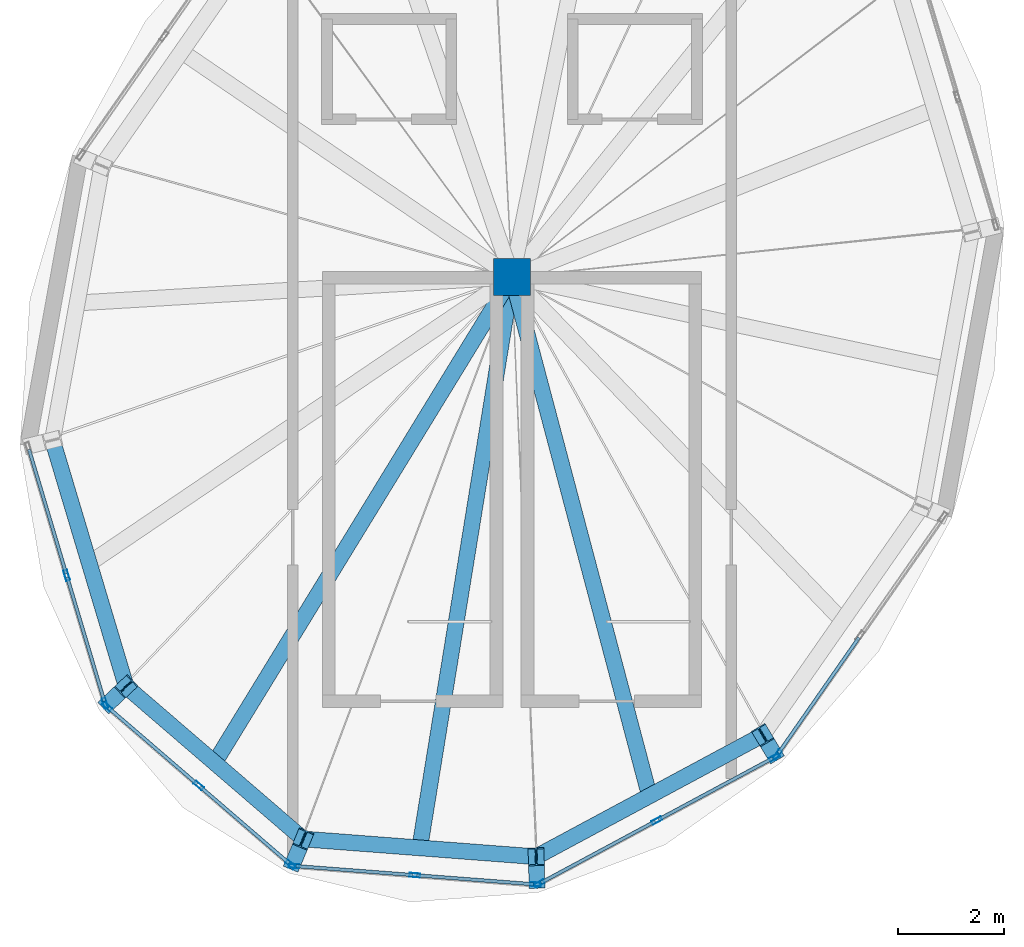
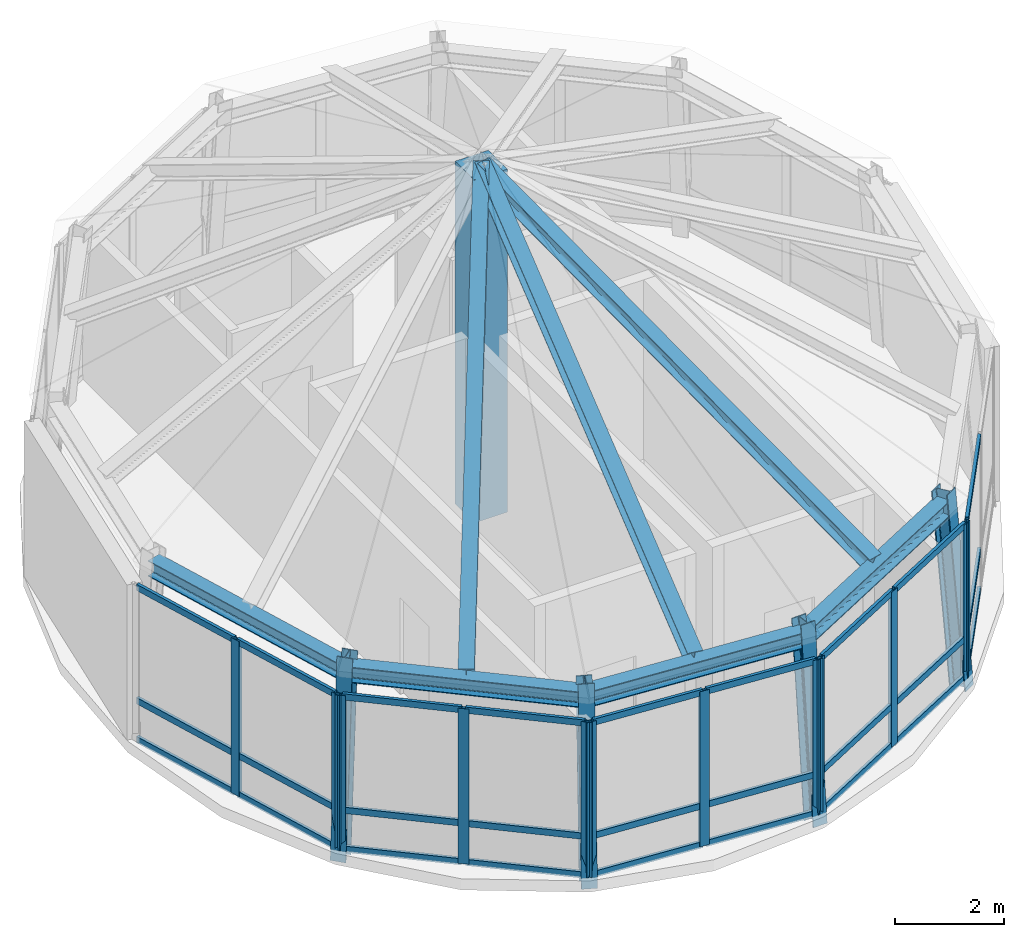
# One storey, part 1 of 8: 43 members, 7 beams, 1 column, 5 elements without a shape of their own.
"""IFC4 building model written with IfcOpenShell, lengths in metres."""

from ifc_helpers import new_model, si_unit, direction, frame, origin, origin_2d, place, context, subcontext, project, spatial, rectangle, hollow_rectangle, i_section, extrude, material, layer, layer_set, material_profile, profile_set, type_object, element, aggregate, save


model = new_model("IFC4")

# Units and contexts
model_context = context("Model", 3, precision=1e-05, world=origin(), true_north=direction((0.0, 1.0)))
body_context = subcontext(model_context, "Body", "Model", "MODEL_VIEW")
ifc_project = project(units=[si_unit("LENGTHUNIT", "METRE"), si_unit("AREAUNIT", "SQUARE_METRE"), si_unit("VOLUMEUNIT", "CUBIC_METRE"), si_unit("PLANEANGLEUNIT", "RADIAN"), si_unit("MASSUNIT", "GRAM", prefix="KILO"), si_unit("THERMODYNAMICTEMPERATUREUNIT", "KELVIN"), si_unit("POWERUNIT", "WATT")], contexts=[model_context])

# Site, building, storey
site_placement = place(None, origin())
site = spatial("IfcSite", under=ifc_project, at=site_placement, CompositionType="ELEMENT")
building_placement = place(site_placement, origin())
building = spatial("IfcBuilding", under=site, at=building_placement, Name="Ocrelia Relay Tower", CompositionType="ELEMENT")
storey_placement = place(building_placement, frame((0.0, 0.0, 308.0)))
storey = spatial("IfcBuildingStorey", under=building, at=storey_placement, Name="L77", CompositionType="ELEMENT", Elevation=308.0)

# Column
ifc_material_1 = material(Name="Concrete C50/60", Category="concrete")
ifc_material_profile_1 = material_profile(ifc_material_1, rectangle(XDim=0.699951171875, YDim=0.699951171875, at=origin_2d()), Name="RC-COL-700x700")
ifc_profile_set_1 = profile_set([ifc_material_profile_1], Name="Concrete C50/60")
column_type = type_object("IfcColumnType", Name="COL-CC-700", PredefinedType="COLUMN", material=ifc_profile_set_1)
column_placement = place(storey_placement, frame((34.0, 27.1201171875, 0.0), z_axis=(0.0, 0.0, 1.0), x_axis=(1.0, 0.0, 0.0)))
element("IfcColumn", 1, at=column_placement, inside=storey, type_object=column_type, Name="L77 Crown Central Spine Column", PredefinedType="COLUMN", context=body_context, shape_type="SweptSolid", body=[
    extrude(rectangle(XDim=0.699951171875, YDim=0.699951171875, at=origin_2d()), origin(), (0.0, 0.0, 1.0), 7.64990234375),
])

# Beams
ifc_material_2 = material(Name="Steel S355", Category="steel")
ifc_material_profile_2 = material_profile(ifc_material_2, i_section(OverallWidth=0.300048828125, OverallDepth=0.330078125, WebThickness=0.009521484375, FlangeThickness=0.0166015625, FilletRadius=0.027099609375, at=origin_2d()), Name="HEA 340")
ifc_profile_set_2 = profile_set([ifc_material_profile_2], Name="Steel S355")
beam_type_1 = type_object("IfcBeamType", Name="BM-HEA340", PredefinedType="BEAM", material=ifc_profile_set_2)
beam_1_placement = place(storey_placement, frame((28.375244140625, 17.93017578125, 3.837646484375), z_axis=(0.492297497606, 0.804334493896, 0.332699858402), x_axis=(-0.852923164464, 0.522036469531, 0.0)))
element("IfcBeam", 2, at=beam_1_placement, inside=storey, type_object=beam_type_1, Name="L77 Glass-Point Crown Apex Rafter RF06", PredefinedType="BEAM", context=body_context, shape_type="SweptSolid", body=[
    extrude(i_section(OverallWidth=0.300048828125, OverallDepth=0.330078125, WebThickness=0.009521484375, FlangeThickness=0.0166015625, FilletRadius=0.027099609375, at=origin_2d()), origin(), (0.0, 0.0, 1.0), 11.425537109375),
])
beam_2_placement = place(storey_placement, frame((32.254150390625, 16.3193359375, 3.833984375), z_axis=(0.150711735613, 0.932385286466, 0.328547790025), x_axis=(-0.987186635047, 0.159569883075, 0.0)))
element("IfcBeam", 3, at=beam_2_placement, inside=storey, type_object=beam_type_1, Name="L77 Glass-Point Crown Apex Rafter RF07", PredefinedType="BEAM", context=body_context, shape_type="SweptSolid", body=[
    extrude(i_section(OverallWidth=0.300048828125, OverallDepth=0.330078125, WebThickness=0.009521484375, FlangeThickness=0.0166015625, FilletRadius=0.027099609375, at=origin_2d()), origin(), (0.0, 0.0, 1.0), 11.583984375),
])
beam_3_placement = place(storey_placement, frame((36.600830078125, 17.302490234375, 3.831787109375), z_axis=(-0.239810177751, 0.90523671059, 0.350767125666), x_axis=(-0.966655364377, -0.256080859342, 0.0)))
element("IfcBeam", 4, at=beam_3_placement, inside=storey, type_object=beam_type_1, Name="L77 Glass-Point Crown Apex Rafter RF08", PredefinedType="BEAM", context=body_context, shape_type="SweptSolid", body=[
    extrude(i_section(OverallWidth=0.300048828125, OverallDepth=0.330078125, WebThickness=0.009521484375, FlangeThickness=0.0166015625, FilletRadius=0.027099609375, at=origin_2d()), origin(), (0.0, 0.0, 1.0), 10.845458984375),
])
ifc_material_profile_3 = material_profile(ifc_material_2, i_section(OverallWidth=0.300048828125, OverallDepth=0.35009765625, WebThickness=0.010009765625, FlangeThickness=0.017578125, FilletRadius=0.027099609375, at=origin_2d()), Name="HEA 360")
ifc_profile_set_3 = profile_set([ifc_material_profile_3], Name="Steel S355")
beam_type_2 = type_object("IfcBeamType", Name="BM-HEA360", PredefinedType="SPANDREL", material=ifc_profile_set_3)
beam_4_placement = place(storey_placement, frame((25.306640625, 24.033447265625, 3.64501953125), z_axis=(0.286505221663, -0.958078680464, 0.0), x_axis=(0.958078680464, 0.286505221663, 0.0)))
element("IfcBeam", 5, at=beam_4_placement, inside=storey, type_object=beam_type_2, Name="L77 Crown Faceted Ring Beam R05", PredefinedType="SPANDREL", context=body_context, shape_type="SweptSolid", body=[
    extrude(i_section(OverallWidth=0.300048828125, OverallDepth=0.35009765625, WebThickness=0.010009765625, FlangeThickness=0.017578125, FilletRadius=0.027099609375, at=origin_2d()), origin(), (0.0, 0.0, 1.0), 4.86474609375),
])
for number, where, z_axis, x_axis, name in (
    (6, (26.700439453125, 19.37255859375, 3.64501953125), (0.757699013263, -0.652604171992, 0.0), (0.652604171992, 0.757699013263, 0.0), "L77 Crown Faceted Ring Beam R06"),
    (7, (30.050048828125, 16.487548828125, 3.64501953125), (0.997104301591, -0.07604611594, 0.0), (0.07604611594, 0.997104301591, 0.0), "L77 Crown Faceted Ring Beam R07"),
):
    element("IfcBeam", number, at=place(storey_placement, frame(where, z_axis=z_axis, x_axis=x_axis)), inside=storey, type_object=beam_type_2, Name=name, PredefinedType="SPANDREL", context=body_context, shape_type="SweptSolid", body=[
        extrude(i_section(OverallWidth=0.300048828125, OverallDepth=0.35009765625, WebThickness=0.010009765625, FlangeThickness=0.017578125, FilletRadius=0.027099609375, at=origin_2d()), origin(), (0.0, 0.0, 1.0), 4.420654296875),
    ])
beam_5_placement = place(storey_placement, frame((34.4580078125, 16.1513671875, 3.64501953125), z_axis=(0.880881680391, 0.47333652421, 0.0), x_axis=(-0.47333652421, 0.880881680391, 0.0)))
element("IfcBeam", 8, at=beam_5_placement, inside=storey, type_object=beam_type_2, Name="L77 Crown Faceted Ring Beam R08", PredefinedType="SPANDREL", context=body_context, shape_type="SweptSolid", body=[
    extrude(i_section(OverallWidth=0.300048828125, OverallDepth=0.35009765625, WebThickness=0.010009765625, FlangeThickness=0.017578125, FilletRadius=0.027099609375, at=origin_2d()), origin(), (0.0, 0.0, 1.0), 4.864990234375),
])

# Curtain wall, members
ifc_material_3 = material(Name="Aluminium and solar-control low-E glass", Category="aluminium")
ifc_layer = layer(ifc_material_3, 0.179931640625, Name="Aluminium and solar-control low-E glass")
ifc_layer_set = layer_set([ifc_layer], Name="Aluminium and solar-control low-E glass")
curtain_wall_type = type_object("IfcCurtainWallType", Name="CW-SYS-CROWN-PT", PredefinedType="NOTDEFINED", material=ifc_layer_set)
curtain_wall_1_placement = place(storey_placement, origin())
curtain_wall_1 = element("IfcCurtainWall", 9, at=curtain_wall_1_placement, inside=storey, type_object=curtain_wall_type, Name="L77 Faceted Glass-Point Crown Curtain Wall 05", PredefinedType="NOTDEFINED")
ifc_material_4 = material(Name="Anodised bronze aluminium", Category="aluminium")
ifc_material_profile_4 = material_profile(ifc_material_4, hollow_rectangle(XDim=0.074951171875, YDim=0.199951171875, WallThickness=0.006103515625, at=origin_2d()), Name="CW-MUL-200x75")
ifc_profile_set_4 = profile_set([ifc_material_profile_4], Name="Anodised bronze aluminium")
member_type_1 = type_object("IfcMemberType", Name="CW-SYS-CROWN-PT-MUL", PredefinedType="MULLION", material=ifc_profile_set_4)
member_1_placement = place(storey_placement, frame((25.575439453125, 21.47412109375, 0.0), z_axis=(0.0, 0.0, 1.0), x_axis=(0.958056902015, 0.286578039111, 0.0)))
member_1 = element("IfcMember", 10, at=member_1_placement, type_object=member_type_1, Name="CW-CR mullion 2", PredefinedType="MULLION", context=body_context, shape_type="SweptSolid", body=[
    extrude(hollow_rectangle(XDim=0.074951171875, YDim=0.199951171875, WallThickness=0.006103515625, at=origin_2d()), origin(), (0.0, 0.0, 1.0), 3.4599609375),
])
member_2_placement = place(storey_placement, frame((26.299072265625, 19.054931640625, 0.0), z_axis=(0.0, 0.0, 1.0), x_axis=(0.958056902015, 0.286578039111, 0.0)))
member_2 = element("IfcMember", 11, at=member_2_placement, type_object=member_type_1, Name="CW-CR mullion 3", PredefinedType="MULLION", context=body_context, shape_type="SweptSolid", body=[
    extrude(hollow_rectangle(XDim=0.074951171875, YDim=0.199951171875, WallThickness=0.006103515625, at=origin_2d()), origin(), (0.0, 0.0, 1.0), 3.4599609375),
])

curtain_wall_2_placement = place(storey_placement, origin())
curtain_wall_2 = element("IfcCurtainWall", 12, at=curtain_wall_2_placement, inside=storey, type_object=curtain_wall_type, Name="L77 Faceted Glass-Point Crown Curtain Wall 06", PredefinedType="NOTDEFINED")
member_3_placement = place(storey_placement, frame((26.33837890625, 18.99462890625, 0.0), z_axis=(0.0, 0.0, 1.0), x_axis=(0.652580665849, 0.757719258407, 0.0)))
member_3 = element("IfcMember", 13, at=member_3_placement, type_object=member_type_1, Name="CW-CR mullion 1", PredefinedType="MULLION", context=body_context, shape_type="SweptSolid", body=[
    extrude(hollow_rectangle(XDim=0.074951171875, YDim=0.199951171875, WallThickness=0.006103515625, at=origin_2d()), origin(), (0.0, 0.0, 1.0), 3.4599609375),
])
member_4_placement = place(storey_placement, frame((28.074462890625, 17.499267578125, 0.0), z_axis=(0.0, 0.0, 1.0), x_axis=(0.652580665849, 0.757719258407, 0.0)))
member_4 = element("IfcMember", 14, at=member_4_placement, type_object=member_type_1, Name="CW-CR mullion 2", PredefinedType="MULLION", context=body_context, shape_type="SweptSolid", body=[
    extrude(hollow_rectangle(XDim=0.074951171875, YDim=0.199951171875, WallThickness=0.006103515625, at=origin_2d()), origin(), (0.0, 0.0, 1.0), 3.4599609375),
])
member_5_placement = place(storey_placement, frame((29.810791015625, 16.00390625, 0.0), z_axis=(0.0, 0.0, 1.0), x_axis=(0.652580665849, 0.757719258407, 0.0)))
member_5 = element("IfcMember", 15, at=member_5_placement, type_object=member_type_1, Name="CW-CR mullion 3", PredefinedType="MULLION", context=body_context, shape_type="SweptSolid", body=[
    extrude(hollow_rectangle(XDim=0.074951171875, YDim=0.199951171875, WallThickness=0.006103515625, at=origin_2d()), origin(), (0.0, 0.0, 1.0), 3.4599609375),
])

curtain_wall_3_placement = place(storey_placement, origin())
curtain_wall_3 = element("IfcCurtainWall", 16, at=curtain_wall_3_placement, inside=storey, type_object=curtain_wall_type, Name="L77 Faceted Glass-Point Crown Curtain Wall 07", PredefinedType="NOTDEFINED")
member_6_placement = place(storey_placement, frame((29.87646484375, 15.9765625, 0.0), z_axis=(0.0, 0.0, 1.0), x_axis=(0.076089015245, 0.997101028863, 0.0)))
member_6 = element("IfcMember", 17, at=member_6_placement, type_object=member_type_1, Name="CW-CR mullion 1", PredefinedType="MULLION", context=body_context, shape_type="SweptSolid", body=[
    extrude(hollow_rectangle(XDim=0.074951171875, YDim=0.199951171875, WallThickness=0.006103515625, at=origin_2d()), origin(), (0.0, 0.0, 1.0), 3.4599609375),
])
member_7_placement = place(storey_placement, frame((32.1611328125, 15.80224609375, 0.0), z_axis=(0.0, 0.0, 1.0), x_axis=(0.076089015245, 0.997101028863, 0.0)))
member_7 = element("IfcMember", 18, at=member_7_placement, type_object=member_type_1, Name="CW-CR mullion 2", PredefinedType="MULLION", context=body_context, shape_type="SweptSolid", body=[
    extrude(hollow_rectangle(XDim=0.074951171875, YDim=0.199951171875, WallThickness=0.006103515625, at=origin_2d()), origin(), (0.0, 0.0, 1.0), 3.4599609375),
])
member_8_placement = place(storey_placement, frame((34.44580078125, 15.6279296875, 0.0), z_axis=(0.0, 0.0, 1.0), x_axis=(0.076089015245, 0.997101028863, 0.0)))
member_8 = element("IfcMember", 19, at=member_8_placement, type_object=member_type_1, Name="CW-CR mullion 3", PredefinedType="MULLION", context=body_context, shape_type="SweptSolid", body=[
    extrude(hollow_rectangle(XDim=0.074951171875, YDim=0.199951171875, WallThickness=0.006103515625, at=origin_2d()), origin(), (0.0, 0.0, 1.0), 3.4599609375),
])

curtain_wall_4_placement = place(storey_placement, origin())
curtain_wall_4 = element("IfcCurtainWall", 20, at=curtain_wall_4_placement, inside=storey, type_object=curtain_wall_type, Name="L77 Faceted Glass-Point Crown Curtain Wall 08", PredefinedType="NOTDEFINED")
member_9_placement = place(storey_placement, frame((34.516357421875, 15.642822265625, 0.0), z_axis=(0.0, 0.0, 1.0), x_axis=(-0.473276956147, 0.880913686339, 0.0)))
member_9 = element("IfcMember", 21, at=member_9_placement, type_object=member_type_1, Name="CW-CR mullion 1", PredefinedType="MULLION", context=body_context, shape_type="SweptSolid", body=[
    extrude(hollow_rectangle(XDim=0.074951171875, YDim=0.199951171875, WallThickness=0.006103515625, at=origin_2d()), origin(), (0.0, 0.0, 1.0), 3.4599609375),
])
member_10_placement = place(storey_placement, frame((36.740478515625, 16.837890625, 0.0), z_axis=(0.0, 0.0, 1.0), x_axis=(-0.473276956147, 0.880913686339, 0.0)))
member_10 = element("IfcMember", 22, at=member_10_placement, type_object=member_type_1, Name="CW-CR mullion 2", PredefinedType="MULLION", context=body_context, shape_type="SweptSolid", body=[
    extrude(hollow_rectangle(XDim=0.074951171875, YDim=0.199951171875, WallThickness=0.006103515625, at=origin_2d()), origin(), (0.0, 0.0, 1.0), 3.4599609375),
])
member_11_placement = place(storey_placement, frame((38.96484375, 18.032958984375, 0.0), z_axis=(0.0, 0.0, 1.0), x_axis=(-0.473276956147, 0.880913686339, 0.0)))
member_11 = element("IfcMember", 23, at=member_11_placement, type_object=member_type_1, Name="CW-CR mullion 3", PredefinedType="MULLION", context=body_context, shape_type="SweptSolid", body=[
    extrude(hollow_rectangle(XDim=0.074951171875, YDim=0.199951171875, WallThickness=0.006103515625, at=origin_2d()), origin(), (0.0, 0.0, 1.0), 3.4599609375),
])

# Curtain wall, member
curtain_wall_5_placement = place(storey_placement, origin())
curtain_wall_5 = element("IfcCurtainWall", 24, at=curtain_wall_5_placement, inside=storey, type_object=curtain_wall_type, Name="L77 Faceted Glass-Point Crown Curtain Wall 09", PredefinedType="NOTDEFINED")
member_12_placement = place(storey_placement, frame((39.019287109375, 18.081298828125, 0.0), z_axis=(0.0, 0.0, 1.0), x_axis=(-0.820359766899, 0.571847753211, 0.0)))
member_12 = element("IfcMember", 25, at=member_12_placement, type_object=member_type_1, Name="CW-CR mullion 1", PredefinedType="MULLION", context=body_context, shape_type="SweptSolid", body=[
    extrude(hollow_rectangle(XDim=0.074951171875, YDim=0.199951171875, WallThickness=0.006103515625, at=origin_2d()), origin(), (0.0, 0.0, 1.0), 3.4599609375),
])

# Member
ifc_material_profile_5 = material_profile(ifc_material_4, hollow_rectangle(XDim=0.06494140625, YDim=0.139892578125, WallThickness=0.0048828125, at=origin_2d()), Name="CW-TRN-140x65")
ifc_profile_set_5 = profile_set([ifc_material_profile_5], Name="Anodised bronze aluminium")
member_type_2 = type_object("IfcMemberType", Name="CW-SYS-CROWN-PT-TRN", PredefinedType="USERDEFINED", material=ifc_profile_set_5)
member_13_placement = place(storey_placement, frame((24.86279296875, 23.857177734375, 0.032470703125), z_axis=(0.286506654318, -0.95807825204, 0.0), x_axis=(0.95807825204, 0.286506654318, 0.0)))
member_13 = element("IfcMember", 26, at=member_13_placement, type_object=member_type_2, Name="CW-CR transom 1.1", ObjectType="TRANSOM", PredefinedType="USERDEFINED", context=body_context, shape_type="SweptSolid", body=[
    extrude(hollow_rectangle(XDim=0.06494140625, YDim=0.139892578125, WallThickness=0.0048828125, at=origin_2d()), origin(), (0.0, 0.0, 1.0), 2.449951171875),
])

member_14_placement = place(storey_placement, frame((24.86279296875, 23.857177734375, 0.89990234375), z_axis=(0.286506654318, -0.95807825204, 0.0), x_axis=(0.95807825204, 0.286506654318, 0.0)))
member_14 = element("IfcMember", 27, at=member_14_placement, type_object=member_type_2, Name="CW-CR transom 1.2", ObjectType="TRANSOM", PredefinedType="USERDEFINED", context=body_context, shape_type="SweptSolid", body=[
    extrude(hollow_rectangle(XDim=0.06494140625, YDim=0.139892578125, WallThickness=0.0048828125, at=origin_2d()), origin(), (0.0, 0.0, 1.0), 2.449951171875),
])

member_15_placement = place(storey_placement, frame((24.86279296875, 23.857177734375, 3.427490234375), z_axis=(0.286506654318, -0.95807825204, 0.0), x_axis=(0.95807825204, 0.286506654318, 0.0)))
member_15 = element("IfcMember", 28, at=member_15_placement, type_object=member_type_2, Name="CW-CR transom 1.3", ObjectType="TRANSOM", PredefinedType="USERDEFINED", context=body_context, shape_type="SweptSolid", body=[
    extrude(hollow_rectangle(XDim=0.06494140625, YDim=0.139892578125, WallThickness=0.0048828125, at=origin_2d()), origin(), (0.0, 0.0, 1.0), 2.449951171875),
])

member_16_placement = place(storey_placement, frame((25.586181640625, 21.43798828125, 0.032470703125), z_axis=(0.286598124644, -0.958050893716, 0.0), x_axis=(0.958050893716, 0.286598124644, 0.0)))
member_16 = element("IfcMember", 29, at=member_16_placement, type_object=member_type_2, Name="CW-CR transom 2.1", ObjectType="TRANSOM", PredefinedType="USERDEFINED", context=body_context, shape_type="SweptSolid", body=[
    extrude(hollow_rectangle(XDim=0.06494140625, YDim=0.139892578125, WallThickness=0.0048828125, at=origin_2d()), origin(), (0.0, 0.0, 1.0), 2.449951171875),
])

member_17_placement = place(storey_placement, frame((25.586181640625, 21.43798828125, 0.89990234375), z_axis=(0.286598124644, -0.958050893716, 0.0), x_axis=(0.958050893716, 0.286598124644, 0.0)))
member_17 = element("IfcMember", 30, at=member_17_placement, type_object=member_type_2, Name="CW-CR transom 2.2", ObjectType="TRANSOM", PredefinedType="USERDEFINED", context=body_context, shape_type="SweptSolid", body=[
    extrude(hollow_rectangle(XDim=0.06494140625, YDim=0.139892578125, WallThickness=0.0048828125, at=origin_2d()), origin(), (0.0, 0.0, 1.0), 2.449951171875),
])

member_18_placement = place(storey_placement, frame((25.586181640625, 21.43798828125, 3.427490234375), z_axis=(0.286598124644, -0.958050893716, 0.0), x_axis=(0.958050893716, 0.286598124644, 0.0)))
member_18 = element("IfcMember", 31, at=member_18_placement, type_object=member_type_2, Name="CW-CR transom 2.3", ObjectType="TRANSOM", PredefinedType="USERDEFINED", context=body_context, shape_type="SweptSolid", body=[
    extrude(hollow_rectangle(XDim=0.06494140625, YDim=0.139892578125, WallThickness=0.0048828125, at=origin_2d()), origin(), (0.0, 0.0, 1.0), 2.449951171875),
])

aggregate(curtain_wall_1, [member_1, member_2, member_13, member_14, member_15, member_16, member_17, member_18])

member_19_placement = place(storey_placement, frame((26.36669921875, 18.969970703125, 0.032470703125), z_axis=(0.757746107438, -0.652549489819, 0.0), x_axis=(0.652549489819, 0.757746107438, 0.0)))
member_19 = element("IfcMember", 32, at=member_19_placement, type_object=member_type_2, Name="CW-CR transom 1.1", ObjectType="TRANSOM", PredefinedType="USERDEFINED", context=body_context, shape_type="SweptSolid", body=[
    extrude(hollow_rectangle(XDim=0.06494140625, YDim=0.139892578125, WallThickness=0.0048828125, at=origin_2d()), origin(), (0.0, 0.0, 1.0), 2.21630859375),
])

member_20_placement = place(storey_placement, frame((26.36669921875, 18.969970703125, 0.89990234375), z_axis=(0.757746107438, -0.652549489819, 0.0), x_axis=(0.652549489819, 0.757746107438, 0.0)))
member_20 = element("IfcMember", 33, at=member_20_placement, type_object=member_type_2, Name="CW-CR transom 1.2", ObjectType="TRANSOM", PredefinedType="USERDEFINED", context=body_context, shape_type="SweptSolid", body=[
    extrude(hollow_rectangle(XDim=0.06494140625, YDim=0.139892578125, WallThickness=0.0048828125, at=origin_2d()), origin(), (0.0, 0.0, 1.0), 2.21630859375),
])

member_21_placement = place(storey_placement, frame((26.36669921875, 18.969970703125, 3.427490234375), z_axis=(0.757746107438, -0.652549489819, 0.0), x_axis=(0.652549489819, 0.757746107438, 0.0)))
member_21 = element("IfcMember", 34, at=member_21_placement, type_object=member_type_2, Name="CW-CR transom 1.3", ObjectType="TRANSOM", PredefinedType="USERDEFINED", context=body_context, shape_type="SweptSolid", body=[
    extrude(hollow_rectangle(XDim=0.06494140625, YDim=0.139892578125, WallThickness=0.0048828125, at=origin_2d()), origin(), (0.0, 0.0, 1.0), 2.21630859375),
])

member_22_placement = place(storey_placement, frame((28.10302734375, 17.474853515625, 0.032470703125), z_axis=(0.757699195898, -0.652603959945, 0.0), x_axis=(0.652603959945, 0.757699195898, 0.0)))
member_22 = element("IfcMember", 35, at=member_22_placement, type_object=member_type_2, Name="CW-CR transom 2.1", ObjectType="TRANSOM", PredefinedType="USERDEFINED", context=body_context, shape_type="SweptSolid", body=[
    extrude(hollow_rectangle(XDim=0.06494140625, YDim=0.139892578125, WallThickness=0.0048828125, at=origin_2d()), origin(), (0.0, 0.0, 1.0), 2.216064453125),
])

member_23_placement = place(storey_placement, frame((28.10302734375, 17.474853515625, 0.89990234375), z_axis=(0.757699195898, -0.652603959945, 0.0), x_axis=(0.652603959945, 0.757699195898, 0.0)))
member_23 = element("IfcMember", 36, at=member_23_placement, type_object=member_type_2, Name="CW-CR transom 2.2", ObjectType="TRANSOM", PredefinedType="USERDEFINED", context=body_context, shape_type="SweptSolid", body=[
    extrude(hollow_rectangle(XDim=0.06494140625, YDim=0.139892578125, WallThickness=0.0048828125, at=origin_2d()), origin(), (0.0, 0.0, 1.0), 2.216064453125),
])

member_24_placement = place(storey_placement, frame((28.10302734375, 17.474853515625, 3.427490234375), z_axis=(0.757699195898, -0.652603959945, 0.0), x_axis=(0.652603959945, 0.757699195898, 0.0)))
member_24 = element("IfcMember", 37, at=member_24_placement, type_object=member_type_2, Name="CW-CR transom 2.3", ObjectType="TRANSOM", PredefinedType="USERDEFINED", context=body_context, shape_type="SweptSolid", body=[
    extrude(hollow_rectangle(XDim=0.06494140625, YDim=0.139892578125, WallThickness=0.0048828125, at=origin_2d()), origin(), (0.0, 0.0, 1.0), 2.216064453125),
])

aggregate(curtain_wall_2, [member_3, member_4, member_5, member_19, member_20, member_21, member_22, member_23, member_24])

member_25_placement = place(storey_placement, frame((29.913818359375, 15.973876953125, 0.032470703125), z_axis=(0.99709902499, -0.076115270246, 0.0), x_axis=(0.076115270246, 0.99709902499, 0.0)))
member_25 = element("IfcMember", 38, at=member_25_placement, type_object=member_type_2, Name="CW-CR transom 1.1", ObjectType="TRANSOM", PredefinedType="USERDEFINED", context=body_context, shape_type="SweptSolid", body=[
    extrude(hollow_rectangle(XDim=0.06494140625, YDim=0.139892578125, WallThickness=0.0048828125, at=origin_2d()), origin(), (0.0, 0.0, 1.0), 2.21630859375),
])

member_26_placement = place(storey_placement, frame((29.913818359375, 15.973876953125, 0.89990234375), z_axis=(0.99709902499, -0.076115270246, 0.0), x_axis=(0.076115270246, 0.99709902499, 0.0)))
member_26 = element("IfcMember", 39, at=member_26_placement, type_object=member_type_2, Name="CW-CR transom 1.2", ObjectType="TRANSOM", PredefinedType="USERDEFINED", context=body_context, shape_type="SweptSolid", body=[
    extrude(hollow_rectangle(XDim=0.06494140625, YDim=0.139892578125, WallThickness=0.0048828125, at=origin_2d()), origin(), (0.0, 0.0, 1.0), 2.21630859375),
])

member_27_placement = place(storey_placement, frame((29.913818359375, 15.973876953125, 3.427490234375), z_axis=(0.99709902499, -0.076115270246, 0.0), x_axis=(0.076115270246, 0.99709902499, 0.0)))
member_27 = element("IfcMember", 40, at=member_27_placement, type_object=member_type_2, Name="CW-CR transom 1.3", ObjectType="TRANSOM", PredefinedType="USERDEFINED", context=body_context, shape_type="SweptSolid", body=[
    extrude(hollow_rectangle(XDim=0.06494140625, YDim=0.139892578125, WallThickness=0.0048828125, at=origin_2d()), origin(), (0.0, 0.0, 1.0), 2.21630859375),
])

member_28_placement = place(storey_placement, frame((32.198486328125, 15.799560546875, 0.032470703125), z_axis=(0.99709902499, -0.076115270246, 0.0), x_axis=(0.076115270246, 0.99709902499, 0.0)))
member_28 = element("IfcMember", 41, at=member_28_placement, type_object=member_type_2, Name="CW-CR transom 2.1", ObjectType="TRANSOM", PredefinedType="USERDEFINED", context=body_context, shape_type="SweptSolid", body=[
    extrude(hollow_rectangle(XDim=0.06494140625, YDim=0.139892578125, WallThickness=0.0048828125, at=origin_2d()), origin(), (0.0, 0.0, 1.0), 2.21630859375),
])

member_29_placement = place(storey_placement, frame((32.198486328125, 15.799560546875, 0.89990234375), z_axis=(0.99709902499, -0.076115270246, 0.0), x_axis=(0.076115270246, 0.99709902499, 0.0)))
member_29 = element("IfcMember", 42, at=member_29_placement, type_object=member_type_2, Name="CW-CR transom 2.2", ObjectType="TRANSOM", PredefinedType="USERDEFINED", context=body_context, shape_type="SweptSolid", body=[
    extrude(hollow_rectangle(XDim=0.06494140625, YDim=0.139892578125, WallThickness=0.0048828125, at=origin_2d()), origin(), (0.0, 0.0, 1.0), 2.21630859375),
])

member_30_placement = place(storey_placement, frame((32.198486328125, 15.799560546875, 3.427490234375), z_axis=(0.99709902499, -0.076115270246, 0.0), x_axis=(0.076115270246, 0.99709902499, 0.0)))
member_30 = element("IfcMember", 43, at=member_30_placement, type_object=member_type_2, Name="CW-CR transom 2.3", ObjectType="TRANSOM", PredefinedType="USERDEFINED", context=body_context, shape_type="SweptSolid", body=[
    extrude(hollow_rectangle(XDim=0.06494140625, YDim=0.139892578125, WallThickness=0.0048828125, at=origin_2d()), origin(), (0.0, 0.0, 1.0), 2.21630859375),
])

aggregate(curtain_wall_3, [member_6, member_7, member_8, member_25, member_26, member_27, member_28, member_29, member_30])

member_31_placement = place(storey_placement, frame((34.54931640625, 15.66064453125, 0.032470703125), z_axis=(0.880928268603, 0.473249813076, 0.0), x_axis=(-0.473249813076, 0.880928268603, 0.0)))
member_31 = element("IfcMember", 44, at=member_31_placement, type_object=member_type_2, Name="CW-CR transom 1.1", ObjectType="TRANSOM", PredefinedType="USERDEFINED", context=body_context, shape_type="SweptSolid", body=[
    extrude(hollow_rectangle(XDim=0.06494140625, YDim=0.139892578125, WallThickness=0.0048828125, at=origin_2d()), origin(), (0.0, 0.0, 1.0), 2.449951171875),
])

member_32_placement = place(storey_placement, frame((34.54931640625, 15.66064453125, 0.89990234375), z_axis=(0.880928268603, 0.473249813076, 0.0), x_axis=(-0.473249813076, 0.880928268603, 0.0)))
member_32 = element("IfcMember", 45, at=member_32_placement, type_object=member_type_2, Name="CW-CR transom 1.2", ObjectType="TRANSOM", PredefinedType="USERDEFINED", context=body_context, shape_type="SweptSolid", body=[
    extrude(hollow_rectangle(XDim=0.06494140625, YDim=0.139892578125, WallThickness=0.0048828125, at=origin_2d()), origin(), (0.0, 0.0, 1.0), 2.449951171875),
])

member_33_placement = place(storey_placement, frame((34.54931640625, 15.66064453125, 3.427490234375), z_axis=(0.880928268603, 0.473249813076, 0.0), x_axis=(-0.473249813076, 0.880928268603, 0.0)))
member_33 = element("IfcMember", 46, at=member_33_placement, type_object=member_type_2, Name="CW-CR transom 1.3", ObjectType="TRANSOM", PredefinedType="USERDEFINED", context=body_context, shape_type="SweptSolid", body=[
    extrude(hollow_rectangle(XDim=0.06494140625, YDim=0.139892578125, WallThickness=0.0048828125, at=origin_2d()), origin(), (0.0, 0.0, 1.0), 2.449951171875),
])

member_34_placement = place(storey_placement, frame((36.773681640625, 16.855712890625, 0.032470703125), z_axis=(0.880928268603, 0.473249813076, 0.0), x_axis=(-0.473249813076, 0.880928268603, 0.0)))
member_34 = element("IfcMember", 47, at=member_34_placement, type_object=member_type_2, Name="CW-CR transom 2.1", ObjectType="TRANSOM", PredefinedType="USERDEFINED", context=body_context, shape_type="SweptSolid", body=[
    extrude(hollow_rectangle(XDim=0.06494140625, YDim=0.139892578125, WallThickness=0.0048828125, at=origin_2d()), origin(), (0.0, 0.0, 1.0), 2.449951171875),
])

member_35_placement = place(storey_placement, frame((36.773681640625, 16.855712890625, 0.89990234375), z_axis=(0.880928268603, 0.473249813076, 0.0), x_axis=(-0.473249813076, 0.880928268603, 0.0)))
member_35 = element("IfcMember", 48, at=member_35_placement, type_object=member_type_2, Name="CW-CR transom 2.2", ObjectType="TRANSOM", PredefinedType="USERDEFINED", context=body_context, shape_type="SweptSolid", body=[
    extrude(hollow_rectangle(XDim=0.06494140625, YDim=0.139892578125, WallThickness=0.0048828125, at=origin_2d()), origin(), (0.0, 0.0, 1.0), 2.449951171875),
])

member_36_placement = place(storey_placement, frame((36.773681640625, 16.855712890625, 3.427490234375), z_axis=(0.880928268603, 0.473249813076, 0.0), x_axis=(-0.473249813076, 0.880928268603, 0.0)))
member_36 = element("IfcMember", 49, at=member_36_placement, type_object=member_type_2, Name="CW-CR transom 2.3", ObjectType="TRANSOM", PredefinedType="USERDEFINED", context=body_context, shape_type="SweptSolid", body=[
    extrude(hollow_rectangle(XDim=0.06494140625, YDim=0.139892578125, WallThickness=0.0048828125, at=origin_2d()), origin(), (0.0, 0.0, 1.0), 2.449951171875),
])

aggregate(curtain_wall_4, [member_9, member_10, member_11, member_31, member_32, member_33, member_34, member_35, member_36])

member_37_placement = place(storey_placement, frame((39.040771484375, 18.112060546875, 0.032470703125), z_axis=(0.571837518298, 0.82036690125, 0.0), x_axis=(-0.82036690125, 0.571837518298, 0.0)))
member_37 = element("IfcMember", 50, at=member_37_placement, type_object=member_type_2, Name="CW-CR transom 1.1", ObjectType="TRANSOM", PredefinedType="USERDEFINED", context=body_context, shape_type="SweptSolid", body=[
    extrude(hollow_rectangle(XDim=0.06494140625, YDim=0.139892578125, WallThickness=0.0048828125, at=origin_2d()), origin(), (0.0, 0.0, 1.0), 2.6640625),
])

member_38_placement = place(storey_placement, frame((39.040771484375, 18.112060546875, 0.89990234375), z_axis=(0.571837518298, 0.82036690125, 0.0), x_axis=(-0.82036690125, 0.571837518298, 0.0)))
member_38 = element("IfcMember", 51, at=member_38_placement, type_object=member_type_2, Name="CW-CR transom 1.2", ObjectType="TRANSOM", PredefinedType="USERDEFINED", context=body_context, shape_type="SweptSolid", body=[
    extrude(hollow_rectangle(XDim=0.06494140625, YDim=0.139892578125, WallThickness=0.0048828125, at=origin_2d()), origin(), (0.0, 0.0, 1.0), 2.6640625),
])

member_39_placement = place(storey_placement, frame((39.040771484375, 18.112060546875, 3.427490234375), z_axis=(0.571837518298, 0.82036690125, 0.0), x_axis=(-0.82036690125, 0.571837518298, 0.0)))
member_39 = element("IfcMember", 52, at=member_39_placement, type_object=member_type_2, Name="CW-CR transom 1.3", ObjectType="TRANSOM", PredefinedType="USERDEFINED", context=body_context, shape_type="SweptSolid", body=[
    extrude(hollow_rectangle(XDim=0.06494140625, YDim=0.139892578125, WallThickness=0.0048828125, at=origin_2d()), origin(), (0.0, 0.0, 1.0), 2.6640625),
])

aggregate(curtain_wall_5, [member_12, member_37, member_38, member_39])

# Members
ifc_material_profile_6 = material_profile(ifc_material_2, i_section(OverallWidth=0.300048828125, OverallDepth=0.340087890625, WebThickness=0.011962890625, FlangeThickness=0.021484375, FilletRadius=0.027099609375, at=origin_2d()), Name="HEB 340")
ifc_profile_set_6 = profile_set([ifc_material_profile_6], Name="Steel S355")
member_type_3 = type_object("IfcMemberType", Name="MB-CROWN-RIB", PredefinedType="STRUT", material=ifc_profile_set_6)
member_40_placement = place(storey_placement, frame((26.389404296875, 19.079833984375, -0.25), z_axis=(0.072594994258, 0.068321348599, 0.995018673259), x_axis=(-0.685346869115, 0.728216773354, 0.0)))
element("IfcMember", 53, at=member_40_placement, inside=storey, type_object=member_type_3, Name="L77 Crown Faceted Structural Strut Rib CR06", PredefinedType="STRUT", context=body_context, shape_type="SweptSolid", body=[
    extrude(i_section(OverallWidth=0.300048828125, OverallDepth=0.340087890625, WebThickness=0.011962890625, FlangeThickness=0.021484375, FilletRadius=0.027099609375, at=origin_2d()), origin(), (0.0, 0.0, 1.0), 4.284423828125),
])
member_41_placement = place(storey_placement, frame((29.87744140625, 16.072021484375, -0.25), z_axis=(0.040309936859, 0.097040328903, 0.994463817118), x_axis=(-0.923493759, 0.383613447481, 0.0)))
element("IfcMember", 54, at=member_41_placement, inside=storey, type_object=member_type_3, Name="L77 Crown Faceted Structural Strut Rib CR07", PredefinedType="STRUT", context=body_context, shape_type="SweptSolid", body=[
    extrude(i_section(OverallWidth=0.300048828125, OverallDepth=0.340087890625, WebThickness=0.011962890625, FlangeThickness=0.021484375, FilletRadius=0.027099609375, at=origin_2d()), origin(), (0.0, 0.0, 1.0), 4.281982421875),
])
member_42_placement = place(storey_placement, frame((34.47021484375, 15.72412109375, -0.25), z_axis=(-0.002852311459, 0.09983090107, 0.995000329402), x_axis=(-0.999592086461, -0.028559773899, 0.0)))
element("IfcMember", 55, at=member_42_placement, inside=storey, type_object=member_type_3, Name="L77 Crown Faceted Structural Strut Rib CR08", PredefinedType="STRUT", context=body_context, shape_type="SweptSolid", body=[
    extrude(i_section(OverallWidth=0.300048828125, OverallDepth=0.340087890625, WebThickness=0.011962890625, FlangeThickness=0.021484375, FilletRadius=0.027099609375, at=origin_2d()), origin(), (0.0, 0.0, 1.0), 4.27978515625),
])
member_43_placement = place(storey_placement, frame((38.93701171875, 18.1298828125, -0.25), z_axis=(-0.045276944934, 0.075823181429, 0.996092788557), x_axis=(-0.85857489006, -0.512688168537, 0.0)))
element("IfcMember", 56, at=member_43_placement, inside=storey, type_object=member_type_3, Name="L77 Crown Faceted Structural Strut Rib CR09", PredefinedType="STRUT", context=body_context, shape_type="SweptSolid", body=[
    extrude(i_section(OverallWidth=0.300048828125, OverallDepth=0.340087890625, WebThickness=0.011962890625, FlangeThickness=0.021484375, FilletRadius=0.027099609375, at=origin_2d()), origin(), (0.0, 0.0, 1.0), 4.27587890625),
])

save(model, "model.ifc")
